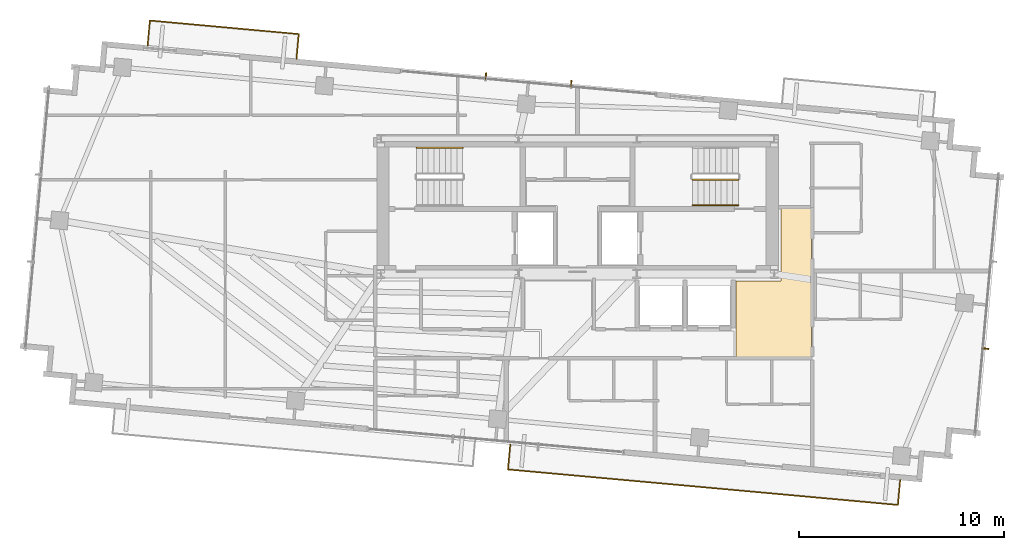
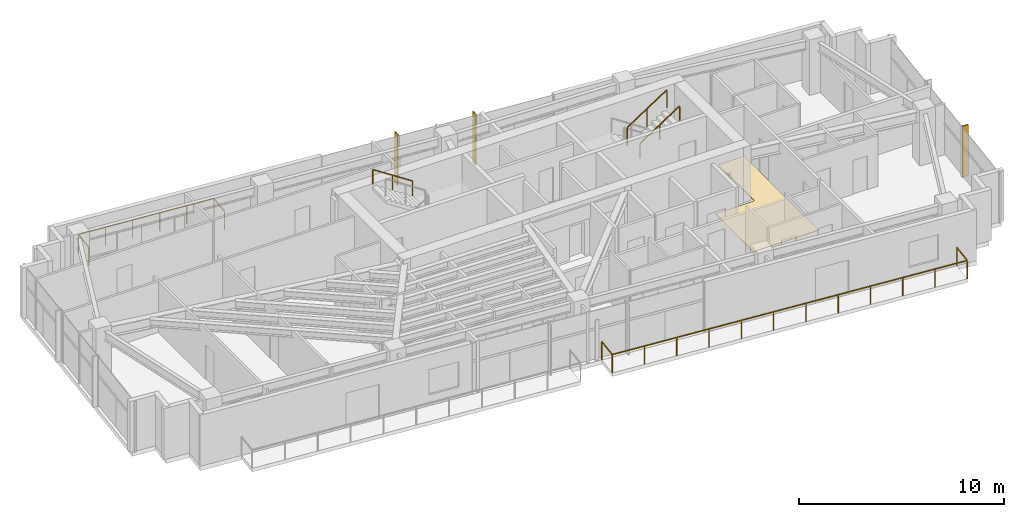
# One storey, part 21 of 22: 5 railings, 3 shading devices, 1 covering.
"""IFC4 building model written with IfcOpenShell, lengths in metres."""

from ifc_helpers import new_model, si_unit, direction, frame, origin, origin_2d, place, context, subcontext, project, spatial, polyline, rectangle, outline, extrude, source, transform, mapped, material, layer, layer_set, type_object, type_shapes, element, save


model = new_model("IFC4")

# Units and contexts
model_context = context("Model", 3, precision=1e-05, world=origin(), true_north=direction((0.0, 1.0)))
body_context = subcontext(model_context, "Body", "Model", "MODEL_VIEW")
ifc_project = project(units=[si_unit("LENGTHUNIT", "METRE"), si_unit("AREAUNIT", "SQUARE_METRE"), si_unit("VOLUMEUNIT", "CUBIC_METRE"), si_unit("PLANEANGLEUNIT", "RADIAN"), si_unit("MASSUNIT", "GRAM", prefix="KILO")], contexts=[model_context])

# Site, building, storey
site_placement = place(None, origin())
site = spatial("IfcSite", under=ifc_project, at=site_placement, CompositionType="ELEMENT")
building_placement = place(site_placement, origin())
building = spatial("IfcBuilding", under=site, at=building_placement, Name="Astriad Promenade Condominiums", CompositionType="ELEMENT")
storey_placement = place(building_placement, frame((0.0, 0.0, 236.39990234375)))
storey = spatial("IfcBuildingStorey", under=building, at=storey_placement, Name="L68", CompositionType="ELEMENT", Elevation=236.39990234375)

# Covering
ifc_material_1 = material(Name="Polished Lakefront Terrazzo Flooring")
ifc_layer = layer(ifc_material_1, 0.02001953125)
ifc_layer_set = layer_set([ifc_layer], Name="Polished Lakefront Terrazzo Flooring")
covering_type = type_object("IfcCoveringType", Name="COV-FLOR-TERRAZZO-20", PredefinedType="FLOORING", material=ifc_layer_set)
covering_placement = place(storey_placement, origin())
element("IfcCovering", 1, at=covering_placement, inside=storey, type_object=covering_type, Name="FLR-L68-COR-2", PredefinedType="FLOORING", context=body_context, shape_type="SweptSolid", body=[
    extrude(outline(polyline([(43.72998046875, 14.62353515625), (43.73095703125, 14.62451171875), (43.7333984375, 14.627685546875), (43.7353515625, 14.631103515625), (43.737060546875, 14.634765625), (43.73828125, 14.638427734375), (43.7392578125, 14.64208984375), (43.73974609375, 14.64599609375), (43.739990234375, 14.64990234375), (43.739990234375, 17.06005859375), (45.89990234375, 17.06005859375), (45.90380859375, 17.060302734375), (45.90771484375, 17.060791015625), (45.91162109375, 17.061767578125), (45.915283203125, 17.06298828125), (45.9189453125, 17.064697265625), (45.922119140625, 17.066650390625), (45.92529296875, 17.069091796875), (45.92822265625, 17.07177734375), (45.930908203125, 17.07470703125), (45.933349609375, 17.077880859375), (45.935302734375, 17.0810546875), (45.93701171875, 17.084716796875), (45.938232421875, 17.08837890625), (45.939208984375, 17.09228515625), (45.939697265625, 17.09619140625), (45.93994140625, 17.10009765625), (45.93994140625, 20.610107421875), (47.409912109375, 20.610107421875), (47.409912109375, 13.320068359375), (43.72998046875, 13.320068359375), (43.72998046875, 14.62353515625)])), origin(), (0.0, 0.0, 1.0), 0.02001953125),
])

# Shading devices
ifc_material_2 = material(Name="Anodised aluminium 6063-T6 Black Fin", Category="aluminium")
shading_device_type = type_object("IfcShadingDeviceType", Name="FIN-BLACK-260", PredefinedType="USERDEFINED", material=ifc_material_2)
shared_shape_1 = source(origin(), body_context, "Body", "SweptSolid", [
    extrude(rectangle(XDim=0.06494140625, YDim=0.320068359375, at=origin_2d()), origin(), (0.0, 0.0, 1.0), 3.0400390625),
])
type_shapes(shading_device_type, [shared_shape_1])
for number, where, z_axis, x_axis, name in (
    (2, (31.526123046875, 27.062744140625, 0.0), (0.0, 0.0, 1.0), (0.995884398616, -0.090632580198, 0.0), "CW-L68-N-FIN-01"),
    (3, (35.68896484375, 26.683837890625, 0.0), (0.0, 0.0, 1.0), (0.995884398616, -0.090632580198, 0.0), "CW-L68-N-FIN-02"),
    (4, (55.920166015625, 13.753662109375, 0.0), (0.0, 0.0, 1.0), (-0.090632580198, -0.995884398616, 0.0), "CW-L68-E-FIN-02"),
):
    element("IfcShadingDevice", number, at=place(storey_placement, frame(where, z_axis=z_axis, x_axis=x_axis)), inside=storey, type_object=shading_device_type, Name=name, ObjectType="FIN", PredefinedType="USERDEFINED", context=body_context, shape_type="MappedRepresentation", body=[
        mapped(shared_shape_1, transform((0.0, 0.0, 0.0), scale=1.0)),
    ])

# Railings
ifc_material_3 = material(Name="Laminated Glass and Stainless Steel Balustrade", Category="steel")
railing_type_1 = type_object("IfcRailingType", Name="GRD-BALC-1120", PredefinedType="BALUSTRADE", material=ifc_material_3)
shared_shape_2 = source(origin(), body_context, "Body", "SweptSolid", [
    extrude(rectangle(XDim=0.048095703125, YDim=0.048095703125, at=origin_2d()), frame((0.0, 0.0, 1.09619140625), z_axis=(-0.090643994769, -0.995883359743, 0.0), x_axis=(0.995883359743, -0.090643994769, 0.0)), (0.0, 0.0, 1.0), 1.22021484375),
    extrude(rectangle(XDim=0.048095703125, YDim=0.048095703125, at=origin_2d()), frame((-0.110595703125, -1.215087890625, 1.09619140625), z_axis=(0.995884826149, -0.090627882274, 0.0), x_axis=(0.090627882274, 0.995884826149, 0.0)), (0.0, 0.0, 1.0), 19.113037109375),
    extrude(rectangle(XDim=0.048095703125, YDim=0.048095703125, at=origin_2d()), frame((18.923828125, -2.947265625, 1.09619140625), z_axis=(0.090463563939, 0.99589976584, 0.0), x_axis=(-0.99589976584, 0.090463563939, 0.0)), (0.0, 0.0, 1.0), 1.2197265625),
    extrude(rectangle(XDim=0.0419921875, YDim=0.0419921875, at=origin_2d()), origin(), (0.0, 0.0, 1.0), 1.072021484375),
    extrude(rectangle(XDim=0.0419921875, YDim=0.0419921875, at=origin_2d()), frame((-0.110595703125, -1.215087890625, 0.0)), (0.0, 0.0, 1.0), 1.072021484375),
    extrude(rectangle(XDim=0.0419921875, YDim=0.0419921875, at=origin_2d()), frame((1.619873046875, -1.37255859375, 0.0)), (0.0, 0.0, 1.0), 1.072021484375),
    extrude(rectangle(XDim=0.0419921875, YDim=0.0419921875, at=origin_2d()), frame((3.35009765625, -1.530029296875, 0.0)), (0.0, 0.0, 1.0), 1.072021484375),
    extrude(rectangle(XDim=0.0419921875, YDim=0.0419921875, at=origin_2d()), frame((5.08056640625, -1.6875, 0.0)), (0.0, 0.0, 1.0), 1.072021484375),
    extrude(rectangle(XDim=0.0419921875, YDim=0.0419921875, at=origin_2d()), frame((6.81103515625, -1.844970703125, 0.0)), (0.0, 0.0, 1.0), 1.072021484375),
    extrude(rectangle(XDim=0.0419921875, YDim=0.0419921875, at=origin_2d()), frame((8.54150390625, -2.00244140625, 0.0)), (0.0, 0.0, 1.0), 1.072021484375),
    extrude(rectangle(XDim=0.0419921875, YDim=0.0419921875, at=origin_2d()), frame((10.271728515625, -2.159912109375, 0.0)), (0.0, 0.0, 1.0), 1.072021484375),
    extrude(rectangle(XDim=0.0419921875, YDim=0.0419921875, at=origin_2d()), frame((12.002197265625, -2.3173828125, 0.0)), (0.0, 0.0, 1.0), 1.072021484375),
    extrude(rectangle(XDim=0.0419921875, YDim=0.0419921875, at=origin_2d()), frame((13.732666015625, -2.474853515625, 0.0)), (0.0, 0.0, 1.0), 1.072021484375),
    extrude(rectangle(XDim=0.0419921875, YDim=0.0419921875, at=origin_2d()), frame((15.463134765625, -2.63232421875, 0.0)), (0.0, 0.0, 1.0), 1.072021484375),
    extrude(rectangle(XDim=0.0419921875, YDim=0.0419921875, at=origin_2d()), frame((17.193359375, -2.789794921875, 0.0)), (0.0, 0.0, 1.0), 1.072021484375),
    extrude(rectangle(XDim=0.0419921875, YDim=0.0419921875, at=origin_2d()), frame((18.923828125, -2.947265625, 0.0)), (0.0, 0.0, 1.0), 1.072021484375),
    extrude(rectangle(XDim=0.0419921875, YDim=0.0419921875, at=origin_2d()), frame((19.0341796875, -1.732421875, 0.0)), (0.0, 0.0, 1.0), 1.072021484375),
])
railing_1_placement = place(storey_placement, frame((32.71240234375, 9.0712890625, 0.0)))
element("IfcRailing", 5, at=railing_1_placement, inside=storey, type_object=railing_type_1, Name="GRD-BALC-L68-SE", PredefinedType="BALUSTRADE", context=body_context, shape_type="MappedRepresentation", body=[
    mapped(shared_shape_2, transform((0.0, 0.0, 0.0), scale=1.0)),
])
shared_shape_3 = source(origin(), body_context, "Body", "SweptSolid", [
    extrude(rectangle(XDim=0.048095703125, YDim=0.048095703125, at=origin_2d()), frame((0.0, 0.0, 1.09619140625), z_axis=(0.090643994769, 0.995883359743, 0.0), x_axis=(-0.995883359743, 0.090643994769, 0.0)), (0.0, 0.0, 1.0), 1.22021484375),
    extrude(rectangle(XDim=0.048095703125, YDim=0.048095703125, at=origin_2d()), frame((0.110595703125, 1.215087890625, 1.09619140625), z_axis=(-0.995883330623, 0.090644314704, 0.0), x_axis=(-0.090644314704, -0.995883330623, 0.0)), (0.0, 0.0, 1.0), 7.299072265625),
    extrude(rectangle(XDim=0.048095703125, YDim=0.048095703125, at=origin_2d()), frame((-7.158447265625, 1.876708984375, 1.09619140625), z_axis=(-0.090643994769, -0.995883359743, 0.0), x_axis=(0.995883359743, -0.090643994769, 0.0)), (0.0, 0.0, 1.0), 1.22021484375),
    extrude(rectangle(XDim=0.0419921875, YDim=0.0419921875, at=origin_2d()), origin(), (0.0, 0.0, 1.0), 1.072021484375),
    extrude(rectangle(XDim=0.0419921875, YDim=0.0419921875, at=origin_2d()), frame((0.110595703125, 1.215087890625, 0.0)), (0.0, 0.0, 1.0), 1.072021484375),
    extrude(rectangle(XDim=0.0419921875, YDim=0.0419921875, at=origin_2d()), frame((-1.34326171875, 1.347412109375, 0.0)), (0.0, 0.0, 1.0), 1.072021484375),
    extrude(rectangle(XDim=0.0419921875, YDim=0.0419921875, at=origin_2d()), frame((-2.797119140625, 1.479736328125, 0.0)), (0.0, 0.0, 1.0), 1.072021484375),
    extrude(rectangle(XDim=0.0419921875, YDim=0.0419921875, at=origin_2d()), frame((-4.250732421875, 1.612060546875, 0.0)), (0.0, 0.0, 1.0), 1.072021484375),
    extrude(rectangle(XDim=0.0419921875, YDim=0.0419921875, at=origin_2d()), frame((-5.70458984375, 1.744384765625, 0.0)), (0.0, 0.0, 1.0), 1.072021484375),
    extrude(rectangle(XDim=0.0419921875, YDim=0.0419921875, at=origin_2d()), frame((-7.158447265625, 1.876708984375, 0.0)), (0.0, 0.0, 1.0), 1.072021484375),
    extrude(rectangle(XDim=0.0419921875, YDim=0.0419921875, at=origin_2d()), frame((-7.26904296875, 0.66162109375, 0.0)), (0.0, 0.0, 1.0), 1.072021484375),
])
type_shapes(railing_type_1, [shared_shape_2, shared_shape_3])
railing_2_placement = place(storey_placement, frame((22.283447265625, 27.893798828125, 0.0)))
element("IfcRailing", 6, at=railing_2_placement, inside=storey, type_object=railing_type_1, Name="GRD-BALC-L68-NW", PredefinedType="BALUSTRADE", context=body_context, shape_type="MappedRepresentation", body=[
    mapped(shared_shape_3, transform((0.0, 0.0, 0.0), scale=1.0)),
])
ifc_material_4 = material(Name="Painted Galvanised Steel Guardrail", Category="steel")
railing_type_2 = type_object("IfcRailingType", Name="GRD-STAIR-1100", PredefinedType="GUARDRAIL", material=ifc_material_4)
shared_shape_4 = source(origin(), body_context, "Body", "SweptSolid", [
    extrude(rectangle(XDim=0.048095703125, YDim=0.048095703125, at=origin_2d()), frame((0.0, 0.0, 1.076171875), z_axis=(0.836636935527, 0.0, 0.547757827979), x_axis=(0.0, 1.0, 0.0)), (0.0, 0.0, 1.0), 2.677490234375),
    extrude(rectangle(XDim=0.0419921875, YDim=0.0419921875, at=origin_2d()), origin(), (0.0, 0.0, 1.0), 1.052001953125),
    extrude(rectangle(XDim=0.0419921875, YDim=0.0419921875, at=origin_2d()), frame((1.1201171875, 0.0, 0.7333984375)), (0.0, 0.0, 1.0), 1.052001953125),
    extrude(rectangle(XDim=0.0419921875, YDim=0.0419921875, at=origin_2d()), frame((2.239990234375, 0.0, 1.466552734375)), (0.0, 0.0, 1.0), 1.052001953125),
])
type_shapes(railing_type_2, [shared_shape_4])
railing_3_placement = place(storey_placement, frame((41.610107421875, 22.0, 1.83349609375)))
element("IfcRailing", 7, at=railing_3_placement, inside=storey, type_object=railing_type_2, Name="L68 ST-2 stair guard 3", PredefinedType="GUARDRAIL", context=body_context, shape_type="MappedRepresentation", body=[
    mapped(shared_shape_4, transform((0.0, 0.0, 0.0), scale=1.0)),
])
ifc_material_5 = material(Name="Brushed Stainless Steel Handrail", Category="steel")
railing_type_3 = type_object("IfcRailingType", Name="HRL-STAIR-920", PredefinedType="HANDRAIL", material=ifc_material_5)
shared_shape_5 = source(origin(), body_context, "Body", "SweptSolid", [
    extrude(rectangle(XDim=0.048095703125, YDim=0.048095703125, at=origin_2d()), frame((0.0, 0.0, 0.8759765625), z_axis=(0.836636935527, 0.0, 0.547757827979), x_axis=(0.0, 1.0, 0.0)), (0.0, 0.0, 1.0), 2.677490234375),
    extrude(rectangle(XDim=0.0419921875, YDim=0.0419921875, at=origin_2d()), origin(), (0.0, 0.0, 1.0), 0.851806640625),
    extrude(rectangle(XDim=0.0419921875, YDim=0.0419921875, at=origin_2d()), frame((1.1201171875, 0.0, 0.7333984375)), (0.0, 0.0, 1.0), 0.851806640625),
    extrude(rectangle(XDim=0.0419921875, YDim=0.0419921875, at=origin_2d()), frame((2.239990234375, 0.0, 1.466552734375)), (0.0, 0.0, 1.0), 0.851806640625),
])
railing_4_placement = place(storey_placement, frame((41.610107421875, 20.75, 1.83349609375)))
element("IfcRailing", 8, at=railing_4_placement, inside=storey, type_object=railing_type_3, Name="L68 ST-2 stair handrail 2", PredefinedType="HANDRAIL", context=body_context, shape_type="MappedRepresentation", body=[
    mapped(shared_shape_5, transform((0.0, 0.0, 0.0), scale=1.0)),
])
shared_shape_6 = source(origin(), body_context, "Body", "SweptSolid", [
    extrude(rectangle(XDim=0.048095703125, YDim=0.048095703125, at=origin_2d()), frame((0.0, 0.0, 0.8759765625), z_axis=(-0.836636935527, 0.0, 0.547757827979), x_axis=(0.0, -1.0, 0.0)), (0.0, 0.0, 1.0), 2.677490234375),
    extrude(rectangle(XDim=0.0419921875, YDim=0.0419921875, at=origin_2d()), origin(), (0.0, 0.0, 1.0), 0.851806640625),
    extrude(rectangle(XDim=0.0419921875, YDim=0.0419921875, at=origin_2d()), frame((-1.1201171875, 0.0, 0.7333984375)), (0.0, 0.0, 1.0), 0.851806640625),
    extrude(rectangle(XDim=0.0419921875, YDim=0.0419921875, at=origin_2d()), frame((-2.239990234375, 0.0, 1.466552734375)), (0.0, 0.0, 1.0), 0.851806640625),
])
type_shapes(railing_type_3, [shared_shape_5, shared_shape_6])
railing_5_placement = place(storey_placement, frame((30.389892578125, 23.550048828125, 1.83349609375)))
element("IfcRailing", 9, at=railing_5_placement, inside=storey, type_object=railing_type_3, Name="L68 ST-1 stair handrail 2", PredefinedType="HANDRAIL", context=body_context, shape_type="MappedRepresentation", body=[
    mapped(shared_shape_6, transform((0.0, 0.0, 0.0), scale=1.0)),
])

save(model, "model.ifc")
